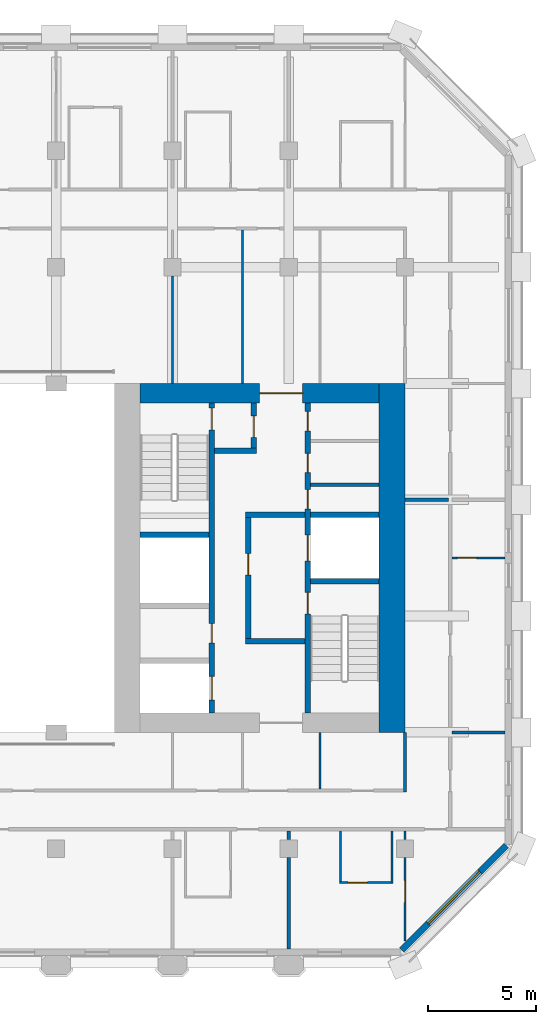
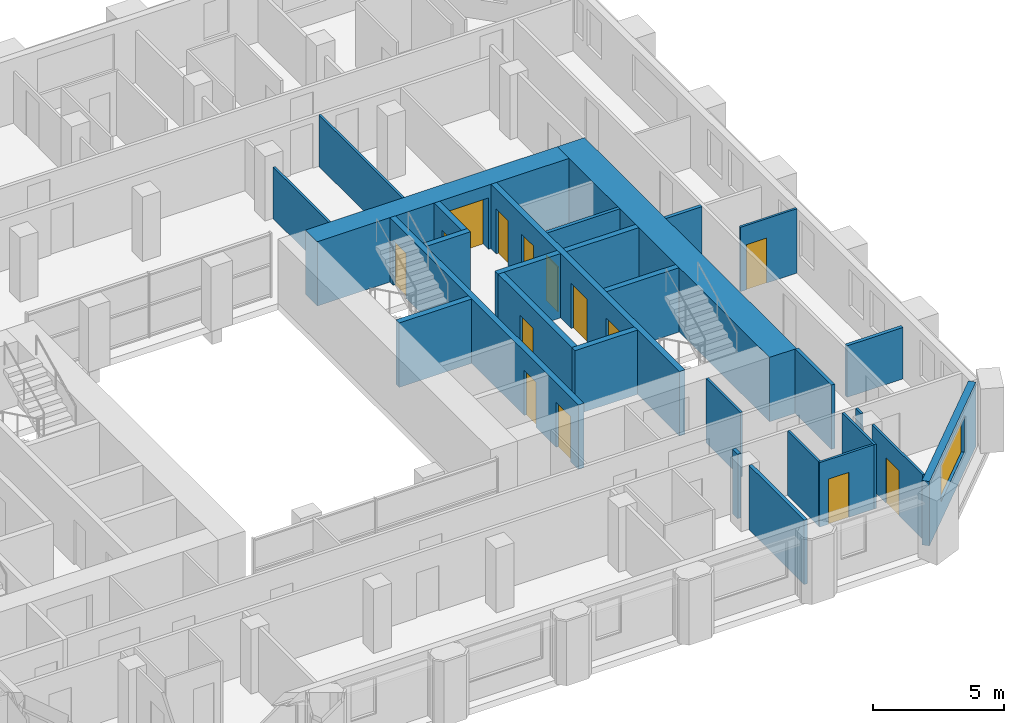
# One storey, part 6 of 12: 28 walls, 14 doors, 1 window, 15 openings.
"""IFC4 building model written with IfcOpenShell, lengths in metres."""

from ifc_helpers import new_model, si_unit, direction, frame, frame_2d, origin, place, context, subcontext, project, spatial, rectangle, extrude, material, layer, layer_set, type_object, element, fill, save


model = new_model("IFC4")

# Units and contexts
model_context = context("Model", 3, precision=1e-05, world=origin(), true_north=direction((0.0, 1.0)))
body_context = subcontext(model_context, "Body", "Model", "MODEL_VIEW")
ifc_project = project(units=[si_unit("LENGTHUNIT", "METRE"), si_unit("AREAUNIT", "SQUARE_METRE"), si_unit("VOLUMEUNIT", "CUBIC_METRE"), si_unit("PLANEANGLEUNIT", "RADIAN"), si_unit("MASSUNIT", "GRAM", prefix="KILO")], contexts=[model_context])

# Site, building, storey
site_placement = place(None, origin())
site = spatial("IfcSite", under=ifc_project, at=site_placement, CompositionType="ELEMENT")
building_placement = place(site_placement, origin())
building = spatial("IfcBuilding", under=site, at=building_placement, Name="Tabaq Tower and Sports Hall", CompositionType="ELEMENT")
storey_placement = place(building_placement, frame((0.0, 0.0, 193.89990234375)))
storey = spatial("IfcBuildingStorey", under=building, at=storey_placement, Name="L47", CompositionType="ELEMENT", Elevation=193.89990234375)

# Walls
ifc_material_1 = material(Name="Blockwork", Category="masonry")
ifc_layer_1 = layer(ifc_material_1, 0.14990234375)
ifc_layer_set_1 = layer_set([ifc_layer_1], Name="Core room partition 150 Blockwork")
wall_type_1 = type_object("IfcWallType", Name="Core room partition 150 Blockwork", PredefinedType="PARTITIONING", material=ifc_layer_set_1)
wall_1_placement = place(storey_placement, frame((38.800048828125, 27.694091796875, 0.0), z_axis=(0.0, 0.0, 1.0), x_axis=(1.0, 0.0, 0.0)))
element("IfcWall", 1, at=wall_1_placement, inside=storey, type_object=wall_type_1, Name="Core room partition E L47", PredefinedType="PARTITIONING", context=body_context, shape_type="SweptSolid", body=[
    extrude(rectangle(XDim=3.199951171875, YDim=0.14990234375, at=frame_2d((1.60009765625, 0.0))), origin(), (0.0, 0.0, 1.0), 3.0),
])
ifc_material_2 = material(Name="Concrete C50/60", Category="concrete")
ifc_layer_2 = layer(ifc_material_2, 1.199951171875)
ifc_layer_set_2 = layer_set([ifc_layer_2], Name="Core wall 1200 Concrete C50/60")
wall_type_2 = type_object("IfcWallType", Name="Core wall 1200 Concrete C50/60", PredefinedType="SOLIDWALL", material=ifc_layer_set_2)
wall_2_placement = place(storey_placement, frame((42.60009765625, 32.39990234375, 0.0), z_axis=(0.0, 0.0, 1.0), x_axis=(0.0, -1.0, 0.0)))
element("IfcWall", 2, at=wall_2_placement, inside=storey, type_object=wall_type_2, Name="Core wall E L47", PredefinedType="SOLIDWALL", context=body_context, shape_type="SweptSolid", body=[
    extrude(rectangle(XDim=16.199951171875, YDim=1.199951171875, at=frame_2d((8.10009765625, 0.0))), origin(), (0.0, 0.0, 1.0), 3.0),
])

# Wall, opening, door
ifc_material_3 = material(Name="Concrete C50/60", Category="concrete")
ifc_layer_3 = layer(ifc_material_3, 0.89990234375)
ifc_layer_set_3 = layer_set([ifc_layer_3], Name="Core wall 900 Concrete C50/60")
wall_type_3 = type_object("IfcWallType", Name="Core wall 900 Concrete C50/60", PredefinedType="SOLIDWALL", material=ifc_layer_set_3)
wall_3_placement = place(storey_placement, frame((30.89990234375, 31.949951171875, 0.0), z_axis=(0.0, 0.0, 1.0), x_axis=(1.0, 0.0, 0.0)))
wall_3 = element("IfcWall", 3, at=wall_3_placement, inside=storey, type_object=wall_type_3, Name="Core wall E L47", PredefinedType="SOLIDWALL", context=body_context, shape_type="SweptSolid", body=[
    extrude(rectangle(XDim=11.10009765625, YDim=0.89990234375, at=frame_2d((5.550048828125, 0.0))), origin(), (0.0, 0.0, 1.0), 3.0),
])
opening_1_placement = place(wall_3_placement, frame((5.550048828125, 0.0, 0.0)))
opening_1 = element("IfcOpeningElement", 4, at=opening_1_placement, cuts=wall_3, Name="Opening PD-EL47-02", PredefinedType="OPENING", context=body_context, shape_type="SweptSolid", body=[
    extrude(rectangle(XDim=2.0, YDim=2.39990234375, at=frame_2d((1.0, 1.199951171875))), frame((0.0, 0.449951171875, 0.0), z_axis=(0.0, -1.0, 0.0), x_axis=(1.0, 0.0, 0.0)), (0.0, 0.0, 1.0), 0.89990234375),
])
ifc_material_4 = material(Name="Steel fire door", Category="steel")
door_type_1 = type_object("IfcDoorType", Name="Core entrance door 2000", OperationType="DOUBLE_DOOR_SINGLE_SWING", PredefinedType="DOOR", material=ifc_material_4)
door_1_placement = place(opening_1_placement, origin())
door_1 = element("IfcDoor", 5, at=door_1_placement, inside=storey, type_object=door_type_1, Name="Core entrance north E L47", OperationType="DOUBLE_DOOR_SINGLE_SWING", OverallHeight=2.39990234375, OverallWidth=2.0, PredefinedType="DOOR", context=body_context, shape_type="SweptSolid", body=[
    extrude(rectangle(XDim=2.0, YDim=2.39990234375, at=frame_2d((1.0, 1.199951171875))), frame((0.0, 0.02490234375, 0.0), z_axis=(0.0, -1.0, 0.0), x_axis=(1.0, 0.0, 0.0)), (0.0, 0.0, 1.0), 0.050048828125),
])
fill(opening_1, door_1)

# Walls
ifc_material_5 = material(Name="Gypsum board on steel studs", Category="steel")
ifc_layer_4 = layer(ifc_material_5, 0.10009765625)
ifc_layer_set_4 = layer_set([ifc_layer_4], Name="Partition 100 Gypsum board")
wall_type_4 = type_object("IfcWallType", Name="Partition 100 Gypsum board", PredefinedType="PARTITIONING", material=ifc_layer_set_4)
wall_4_placement = place(storey_placement, frame((32.39990234375, 32.39990234375, 0.0), z_axis=(0.0, 0.0, 1.0), x_axis=(0.0, 1.0, 0.0)))
element("IfcWall", 6, at=wall_4_placement, inside=storey, type_object=wall_type_4, Name="Partition wall L47", PredefinedType="PARTITIONING", context=body_context, shape_type="SweptSolid", body=[
    extrude(rectangle(XDim=4.97998046875, YDim=0.10009765625, at=frame_2d((2.489990234375, 0.0))), origin(), (0.0, 0.0, 1.0), 2.400146484375),
])
wall_5_placement = place(storey_placement, frame((35.64990234375, 39.52490234375, 0.0), z_axis=(0.0, 0.0, 1.0), x_axis=(0.0, -1.0, 0.0)))
element("IfcWall", 7, at=wall_5_placement, inside=storey, type_object=wall_type_4, Name="Partition wall L47", PredefinedType="PARTITIONING", context=body_context, shape_type="SweptSolid", body=[
    extrude(rectangle(XDim=7.125, YDim=0.10009765625, at=frame_2d((3.5625, 0.0))), origin(), (0.0, 0.0, 1.0), 2.400146484375),
])

# Wall, opening, door
wall_6_placement = place(storey_placement, frame((43.199951171875, 6.51220703125, 0.0), z_axis=(0.0, 0.0, 1.0), x_axis=(0.0, 1.0, 0.0)))
wall_6 = element("IfcWall", 8, at=wall_6_placement, inside=storey, type_object=wall_type_4, Name="Partition wall L47", PredefinedType="PARTITIONING", context=body_context, shape_type="SweptSolid", body=[
    extrude(rectangle(XDim=3.86767578125, YDim=0.10009765625, at=frame_2d((1.933837890625, 0.0))), origin(), (0.0, 0.0, 1.0), 3.0),
])
opening_2_placement = place(wall_6_placement, frame((1.80029296875, 0.0, 0.0)))
opening_2 = element("IfcOpeningElement", 9, at=opening_2_placement, cuts=wall_6, Name="Opening L47-037", PredefinedType="OPENING", context=body_context, shape_type="SweptSolid", body=[
    extrude(rectangle(XDim=1.0, YDim=2.10009765625, at=frame_2d((0.5, 1.050048828125))), frame((0.0, 0.050048828125, 0.0), z_axis=(0.0, -1.0, 0.0), x_axis=(1.0, 0.0, 0.0)), (0.0, 0.0, 1.0), 0.10009765625),
])
ifc_material_6 = material(Name="Timber leaf in steel frame", Category="steel")
door_type_2 = type_object("IfcDoorType", Name="Internal door 1000 left hand", OperationType="SINGLE_SWING_LEFT", PredefinedType="DOOR", material=ifc_material_6)
door_2_placement = place(opening_2_placement, origin())
door_2 = element("IfcDoor", 10, at=door_2_placement, inside=storey, type_object=door_type_2, Name="Internal door L47-037", OperationType="SINGLE_SWING_LEFT", OverallHeight=2.10009765625, OverallWidth=1.0, PredefinedType="DOOR", context=body_context, shape_type="SweptSolid", body=[
    extrude(rectangle(XDim=1.0, YDim=2.10009765625, at=frame_2d((0.5, 1.050048828125))), frame((0.0, 0.02490234375, 0.0), z_axis=(0.0, -1.0, 0.0), x_axis=(1.0, 0.0, 0.0)), (0.0, 0.0, 1.0), 0.050048828125),
])
fill(opening_2, door_2)

# Walls
wall_7_placement = place(storey_placement, frame((43.199951171875, 11.219970703125, 0.0), z_axis=(0.0, 0.0, 1.0), x_axis=(0.0, 1.0, 0.0)))
element("IfcWall", 11, at=wall_7_placement, inside=storey, type_object=wall_type_4, Name="Partition wall L47", PredefinedType="PARTITIONING", context=body_context, shape_type="SweptSolid", body=[
    extrude(rectangle(XDim=0.405029296875, YDim=0.10009765625, at=frame_2d((0.20263671875, 0.0))), origin(), (0.0, 0.0, 1.0), 3.0),
])
wall_8_placement = place(storey_placement, frame((42.60009765625, 11.625, 0.0), z_axis=(0.0, 0.0, 1.0), x_axis=(0.0, -1.0, 0.0)))
element("IfcWall", 12, at=wall_8_placement, inside=storey, type_object=wall_type_4, Name="Partition wall L47", PredefinedType="PARTITIONING", context=body_context, shape_type="SweptSolid", body=[
    extrude(rectangle(XDim=2.449951171875, YDim=0.10009765625, at=frame_2d((1.22509765625, 0.0))), origin(), (0.0, 0.0, 1.0), 3.0),
])

# Wall, opening, door
wall_9_placement = place(storey_placement, frame((42.550048828125, 9.22509765625, 0.0), z_axis=(0.0, 0.0, 1.0), x_axis=(-1.0, 0.0, 0.0)))
wall_9 = element("IfcWall", 13, at=wall_9_placement, inside=storey, type_object=wall_type_4, Name="Partition wall L47", PredefinedType="PARTITIONING", context=body_context, shape_type="SweptSolid", body=[
    extrude(rectangle(XDim=2.400146484375, YDim=0.10009765625, at=frame_2d((1.2001953125, 0.0))), origin(), (0.0, 0.0, 1.0), 3.0),
])
opening_3_placement = place(wall_9_placement, frame((1.10009765625, 0.0, 0.0)))
opening_3 = element("IfcOpeningElement", 14, at=opening_3_placement, cuts=wall_9, Name="Opening L47-017", PredefinedType="OPENING", context=body_context, shape_type="SweptSolid", body=[
    extrude(rectangle(XDim=0.89990234375, YDim=2.10009765625, at=frame_2d((0.449951171875, 1.050048828125))), frame((0.0, 0.050048828125, 0.0), z_axis=(0.0, -1.0, 0.0), x_axis=(1.0, 0.0, 0.0)), (0.0, 0.0, 1.0), 0.10009765625),
])
ifc_material_7 = material(Name="Timber leaf in steel frame", Category="steel")
door_type_3 = type_object("IfcDoorType", Name="Internal door 900 left hand", OperationType="SINGLE_SWING_LEFT", PredefinedType="DOOR", material=ifc_material_7)
door_3_placement = place(opening_3_placement, origin())
door_3 = element("IfcDoor", 15, at=door_3_placement, inside=storey, type_object=door_type_3, Name="Internal door L47-017", OperationType="SINGLE_SWING_LEFT", OverallHeight=2.10009765625, OverallWidth=0.89990234375, PredefinedType="DOOR", context=body_context, shape_type="SweptSolid", body=[
    extrude(rectangle(XDim=0.89990234375, YDim=2.10009765625, at=frame_2d((0.449951171875, 1.050048828125))), frame((0.0, 0.02490234375, 0.0), z_axis=(0.0, -1.0, 0.0), x_axis=(1.0, 0.0, 0.0)), (0.0, 0.0, 1.0), 0.050048828125),
])
fill(opening_3, door_3)

# Wall
wall_10_placement = place(storey_placement, frame((40.199951171875, 9.27490234375, 0.0), z_axis=(0.0, 0.0, 1.0), x_axis=(0.0, 1.0, 0.0)))
element("IfcWall", 16, at=wall_10_placement, inside=storey, type_object=wall_type_4, Name="Partition wall L47", PredefinedType="PARTITIONING", context=body_context, shape_type="SweptSolid", body=[
    extrude(rectangle(XDim=2.35009765625, YDim=0.10009765625, at=frame_2d((1.175048828125, 0.0))), origin(), (0.0, 0.0, 1.0), 3.0),
])

# Wall, opening, door
wall_11_placement = place(storey_placement, frame((47.84912109375, 24.300048828125, 0.0), z_axis=(0.0, 0.0, 1.0), x_axis=(-1.0, 0.0, 0.0)))
wall_11 = element("IfcWall", 17, at=wall_11_placement, inside=storey, type_object=wall_type_4, Name="Partition wall L47", PredefinedType="PARTITIONING", context=body_context, shape_type="SweptSolid", body=[
    extrude(rectangle(XDim=2.47412109375, YDim=0.10009765625, at=frame_2d((1.237060546875, 0.0))), origin(), (0.0, 0.0, 1.0), 3.0),
])
opening_4_placement = place(wall_11_placement, frame((1.323974609375, 0.0, 0.0)))
opening_4 = element("IfcOpeningElement", 18, at=opening_4_placement, cuts=wall_11, Name="Opening L47-020", PredefinedType="OPENING", context=body_context, shape_type="SweptSolid", body=[
    extrude(rectangle(XDim=0.89990234375, YDim=2.10009765625, at=frame_2d((0.449951171875, 1.050048828125))), frame((0.0, 0.050048828125, 0.0), z_axis=(0.0, -1.0, 0.0), x_axis=(1.0, 0.0, 0.0)), (0.0, 0.0, 1.0), 0.10009765625),
])
ifc_material_8 = material(Name="Timber leaf in steel frame", Category="steel")
door_type_4 = type_object("IfcDoorType", Name="Internal door 900 right hand", OperationType="SINGLE_SWING_RIGHT", PredefinedType="DOOR", material=ifc_material_8)
door_4_placement = place(opening_4_placement, origin())
door_4 = element("IfcDoor", 19, at=door_4_placement, inside=storey, type_object=door_type_4, Name="Internal door L47-020", OperationType="SINGLE_SWING_RIGHT", OverallHeight=2.10009765625, OverallWidth=0.89990234375, PredefinedType="DOOR", context=body_context, shape_type="SweptSolid", body=[
    extrude(rectangle(XDim=0.89990234375, YDim=2.10009765625, at=frame_2d((0.449951171875, 1.050048828125))), frame((0.0, 0.02490234375, 0.0), z_axis=(0.0, -1.0, 0.0), x_axis=(1.0, 0.0, 0.0)), (0.0, 0.0, 1.0), 0.050048828125),
])
fill(opening_4, door_4)

# Walls
wall_12_placement = place(storey_placement, frame((39.25, 13.574951171875, 0.0), z_axis=(0.0, 0.0, 1.0), x_axis=(0.0, 1.0, 0.0)))
element("IfcWall", 20, at=wall_12_placement, inside=storey, type_object=wall_type_4, Name="Partition wall L47", PredefinedType="PARTITIONING", context=body_context, shape_type="SweptSolid", body=[
    extrude(rectangle(XDim=2.625, YDim=0.10009765625, at=frame_2d((1.3125, 0.0))), origin(), (0.0, 0.0, 1.0), 3.0),
])
ifc_material_9 = material(Name="Blockwork", Category="masonry")
ifc_layer_5 = layer(ifc_material_9, 0.14990234375)
ifc_layer_set_5 = layer_set([ifc_layer_5], Name="Separating wall 150 Blockwork")
wall_type_5 = type_object("IfcWallType", Name="Separating wall 150 Blockwork", PredefinedType="PARTITIONING", material=ifc_layer_set_5)
wall_13_placement = place(storey_placement, frame((43.199951171875, 27.0, 0.0), z_axis=(0.0, 0.0, 1.0), x_axis=(1.0, 0.0, 0.0)))
element("IfcWall", 21, at=wall_13_placement, inside=storey, type_object=wall_type_5, Name="Separating wall L47", PredefinedType="PARTITIONING", context=body_context, shape_type="SweptSolid", body=[
    extrude(rectangle(XDim=2.025146484375, YDim=0.14990234375, at=frame_2d((1.0126953125, 0.0))), origin(), (0.0, 0.0, 1.0), 2.400146484375),
])
wall_14_placement = place(storey_placement, frame((47.84912109375, 16.199951171875, 0.0), z_axis=(0.0, 0.0, 1.0), x_axis=(-1.0, 0.0, 0.0)))
element("IfcWall", 22, at=wall_14_placement, inside=storey, type_object=wall_type_5, Name="Separating wall L47", PredefinedType="PARTITIONING", context=body_context, shape_type="SweptSolid", body=[
    extrude(rectangle(XDim=2.47412109375, YDim=0.14990234375, at=frame_2d((1.237060546875, 0.0))), origin(), (0.0, 0.0, 1.0), 2.400146484375),
])
wall_15_placement = place(storey_placement, frame((37.800048828125, 6.15087890625, 0.0), z_axis=(0.0, 0.0, 1.0), x_axis=(0.0, 1.0, 0.0)))
element("IfcWall", 23, at=wall_15_placement, inside=storey, type_object=wall_type_5, Name="Separating wall L47", PredefinedType="PARTITIONING", context=body_context, shape_type="SweptSolid", body=[
    extrude(rectangle(XDim=4.22900390625, YDim=0.14990234375, at=frame_2d((2.114501953125, 0.0))), origin(), (0.0, 0.0, 1.0), 3.0),
])
wall_16_placement = place(storey_placement, frame((37.800048828125, 11.219970703125, 0.0), z_axis=(0.0, 0.0, 1.0), x_axis=(0.0, 1.0, 0.0)))
element("IfcWall", 24, at=wall_16_placement, inside=storey, type_object=wall_type_5, Name="Separating wall L47", PredefinedType="PARTITIONING", context=body_context, shape_type="SweptSolid", body=[
    extrude(rectangle(XDim=0.405029296875, YDim=0.14990234375, at=frame_2d((0.20263671875, 0.0))), origin(), (0.0, 0.0, 1.0), 3.0),
])
wall_17_placement = place(storey_placement, frame((43.199951171875, 16.199951171875, 0.0), z_axis=(0.0, 0.0, 1.0), x_axis=(0.0, -1.0, 0.0)))
element("IfcWall", 25, at=wall_17_placement, inside=storey, type_object=wall_type_5, Name="Separating wall L47", PredefinedType="PARTITIONING", context=body_context, shape_type="SweptSolid", body=[
    extrude(rectangle(XDim=2.77490234375, YDim=0.14990234375, at=frame_2d((1.387451171875, 0.0))), origin(), (0.0, 0.0, 1.0), 3.0),
])

# Wall, openings, doors
ifc_material_10 = material(Name="Concrete C40/50", Category="concrete")
ifc_layer_6 = layer(ifc_material_10, 0.25)
ifc_layer_set_6 = layer_set([ifc_layer_6], Name="Shaft and stair wall 250 Concrete C40/50")
wall_type_6 = type_object("IfcWallType", Name="Shaft and stair wall 250 Concrete C40/50", PredefinedType="SOLIDWALL", material=ifc_layer_set_6)
wall_18_placement = place(storey_placement, frame((38.675048828125, 17.10009765625, 0.0), z_axis=(0.0, 0.0, 1.0), x_axis=(0.0, 1.0, 0.0)))
wall_18 = element("IfcWall", 26, at=wall_18_placement, inside=storey, type_object=wall_type_6, Name="Shaft wall E L47", PredefinedType="SOLIDWALL", context=body_context, shape_type="SweptSolid", body=[
    extrude(rectangle(XDim=14.39990234375, YDim=0.25, at=frame_2d((7.199951171875, 0.0))), origin(), (0.0, 0.0, 1.0), 3.0),
])
opening_5_placement = place(wall_18_placement, frame((4.60009765625, 0.0, 0.0)))
opening_5 = element("IfcOpeningElement", 27, at=opening_5_placement, cuts=wall_18, Name="Opening SD-EL47-03", PredefinedType="OPENING", context=body_context, shape_type="SweptSolid", body=[
    extrude(rectangle(XDim=1.0, YDim=2.10009765625, at=frame_2d((0.5, 1.050048828125))), frame((0.0, 0.125, 0.0), z_axis=(0.0, -1.0, 0.0), x_axis=(1.0, 0.0, 0.0)), (0.0, 0.0, 1.0), 0.25),
])
opening_6_placement = place(wall_18_placement, frame((7.0625, 0.0, 0.0)))
opening_6 = element("IfcOpeningElement", 28, at=opening_6_placement, cuts=wall_18, Name="Opening LD-FF2-L47", PredefinedType="OPENING", context=body_context, shape_type="SweptSolid", body=[
    extrude(rectangle(XDim=1.199951171875, YDim=2.10009765625, at=frame_2d((0.60009765625, 1.050048828125))), frame((0.0, 0.125, 0.0), z_axis=(0.0, -1.0, 0.0), x_axis=(1.0, 0.0, 0.0)), (0.0, 0.0, 1.0), 0.25),
])
opening_7_placement = place(wall_18_placement, frame((9.471923828125, 0.0, 0.0)))
opening_7 = element("IfcOpeningElement", 29, at=opening_7_placement, cuts=wall_18, Name="Opening RD-EL47-09", PredefinedType="OPENING", context=body_context, shape_type="SweptSolid", body=[
    extrude(rectangle(XDim=0.89990234375, YDim=2.10009765625, at=frame_2d((0.449951171875, 1.050048828125))), frame((0.0, 0.125, 0.0), z_axis=(0.0, -1.0, 0.0), x_axis=(1.0, 0.0, 0.0)), (0.0, 0.0, 1.0), 0.25),
])
opening_8_placement = place(wall_18_placement, frame((11.158935546875, 0.0, 0.0)))
opening_8 = element("IfcOpeningElement", 30, at=opening_8_placement, cuts=wall_18, Name="Opening RD-EL47-10", PredefinedType="OPENING", context=body_context, shape_type="SweptSolid", body=[
    extrude(rectangle(XDim=0.89990234375, YDim=2.10009765625, at=frame_2d((0.449951171875, 1.050048828125))), frame((0.0, 0.125, 0.0), z_axis=(0.0, -1.0, 0.0), x_axis=(1.0, 0.0, 0.0)), (0.0, 0.0, 1.0), 0.25),
])
opening_9_placement = place(wall_18_placement, frame((13.099609375, 0.0, 0.0)))
opening_9 = element("IfcOpeningElement", 31, at=opening_9_placement, cuts=wall_18, Name="Opening RD-EL47-11", PredefinedType="OPENING", context=body_context, shape_type="SweptSolid", body=[
    extrude(rectangle(XDim=0.89990234375, YDim=2.10009765625, at=frame_2d((0.449951171875, 1.050048828125))), frame((0.0, 0.125, 0.0), z_axis=(0.0, -1.0, 0.0), x_axis=(1.0, 0.0, 0.0)), (0.0, 0.0, 1.0), 0.25),
])
ifc_material_11 = material(Name="Steel fire door", Category="steel")
door_type_5 = type_object("IfcDoorType", Name="Core room door 900", OperationType="SINGLE_SWING_LEFT", PredefinedType="DOOR", material=ifc_material_11)
door_5_placement = place(opening_7_placement, origin())
door_5 = element("IfcDoor", 32, at=door_5_placement, inside=storey, type_object=door_type_5, Name="Door Electrical Riser Room E L47", OperationType="SINGLE_SWING_LEFT", OverallHeight=2.10009765625, OverallWidth=0.89990234375, PredefinedType="DOOR", context=body_context, shape_type="SweptSolid", body=[
    extrude(rectangle(XDim=0.89990234375, YDim=2.10009765625, at=frame_2d((0.449951171875, 1.050048828125))), frame((0.0, 0.02490234375, 0.0), z_axis=(0.0, -1.0, 0.0), x_axis=(1.0, 0.0, 0.0)), (0.0, 0.0, 1.0), 0.050048828125),
])
fill(opening_7, door_5)
door_6_placement = place(opening_8_placement, origin())
door_6 = element("IfcDoor", 33, at=door_6_placement, inside=storey, type_object=door_type_5, Name="Door Unisex WC E L47", OperationType="SINGLE_SWING_LEFT", OverallHeight=2.10009765625, OverallWidth=0.89990234375, PredefinedType="DOOR", context=body_context, shape_type="SweptSolid", body=[
    extrude(rectangle(XDim=0.89990234375, YDim=2.10009765625, at=frame_2d((0.449951171875, 1.050048828125))), frame((0.0, 0.02490234375, 0.0), z_axis=(0.0, -1.0, 0.0), x_axis=(1.0, 0.0, 0.0)), (0.0, 0.0, 1.0), 0.050048828125),
])
fill(opening_8, door_6)
door_7_placement = place(opening_9_placement, origin())
door_7 = element("IfcDoor", 34, at=door_7_placement, inside=storey, type_object=door_type_5, Name="Door Accessible WC E L47", OperationType="SINGLE_SWING_LEFT", OverallHeight=2.10009765625, OverallWidth=0.89990234375, PredefinedType="DOOR", context=body_context, shape_type="SweptSolid", body=[
    extrude(rectangle(XDim=0.89990234375, YDim=2.10009765625, at=frame_2d((0.449951171875, 1.050048828125))), frame((0.0, 0.02490234375, 0.0), z_axis=(0.0, -1.0, 0.0), x_axis=(1.0, 0.0, 0.0)), (0.0, 0.0, 1.0), 0.050048828125),
])
fill(opening_9, door_7)
ifc_material_12 = material(Name="Stainless steel", Category="steel")
door_type_6 = type_object("IfcDoorType", Name="Lift landing door 1200", OperationType="DOUBLE_DOOR_SLIDING", PredefinedType="DOOR", material=ifc_material_12)
door_8_placement = place(opening_6_placement, origin())
door_8 = element("IfcDoor", 35, at=door_8_placement, inside=storey, type_object=door_type_6, Name="Lift landing door FF2 E L47", OperationType="DOUBLE_DOOR_SLIDING", OverallHeight=2.10009765625, OverallWidth=1.199951171875, PredefinedType="DOOR", context=body_context, shape_type="SweptSolid", body=[
    extrude(rectangle(XDim=1.199951171875, YDim=2.10009765625, at=frame_2d((0.60009765625, 1.050048828125))), frame((0.0, 0.02490234375, 0.0), z_axis=(0.0, -1.0, 0.0), x_axis=(1.0, 0.0, 0.0)), (0.0, 0.0, 1.0), 0.050048828125),
])
fill(opening_6, door_8)
ifc_material_13 = material(Name="Steel fire door", Category="steel")
door_type_7 = type_object("IfcDoorType", Name="Stair door 1000", OperationType="SINGLE_SWING_LEFT", PredefinedType="DOOR", material=ifc_material_13)
door_9_placement = place(opening_5_placement, origin())
door_9 = element("IfcDoor", 36, at=door_9_placement, inside=storey, type_object=door_type_7, Name="Stair door ST3 E L47", OperationType="SINGLE_SWING_LEFT", OverallHeight=2.10009765625, OverallWidth=1.0, PredefinedType="DOOR", context=body_context, shape_type="SweptSolid", body=[
    extrude(rectangle(XDim=1.0, YDim=2.10009765625, at=frame_2d((0.5, 1.050048828125))), frame((0.0, 0.02490234375, 0.0), z_axis=(0.0, -1.0, 0.0), x_axis=(1.0, 0.0, 0.0)), (0.0, 0.0, 1.0), 0.050048828125),
])
fill(opening_5, door_9)

wall_19_placement = place(storey_placement, frame((34.22509765625, 17.10009765625, 0.0), z_axis=(0.0, 0.0, 1.0), x_axis=(0.0, 1.0, 0.0)))
wall_19 = element("IfcWall", 37, at=wall_19_placement, inside=storey, type_object=wall_type_6, Name="Shaft wall E L47", PredefinedType="SOLIDWALL", context=body_context, shape_type="SweptSolid", body=[
    extrude(rectangle(XDim=14.39990234375, YDim=0.25, at=frame_2d((7.199951171875, 0.0))), origin(), (0.0, 0.0, 1.0), 3.0),
])
opening_10_placement = place(wall_19_placement, frame((13.14990234375, 0.0, 0.0)))
opening_10 = element("IfcOpeningElement", 38, at=opening_10_placement, cuts=wall_19, Name="Opening SD-EL47-05", PredefinedType="OPENING", context=body_context, shape_type="SweptSolid", body=[
    extrude(rectangle(XDim=1.0, YDim=2.10009765625, at=frame_2d((0.5, 1.050048828125))), frame((0.0, 0.125, 0.0), z_axis=(0.0, -1.0, 0.0), x_axis=(1.0, 0.0, 0.0)), (0.0, 0.0, 1.0), 0.25),
])
opening_11_placement = place(wall_19_placement, frame((0.60009765625, 0.0, 0.0)))
opening_11 = element("IfcOpeningElement", 39, at=opening_11_placement, cuts=wall_19, Name="Opening LD-MR2-L47", PredefinedType="OPENING", context=body_context, shape_type="SweptSolid", body=[
    extrude(rectangle(XDim=1.10009765625, YDim=2.10009765625, at=frame_2d((0.550048828125, 1.050048828125))), frame((0.0, 0.125, 0.0), z_axis=(0.0, -1.0, 0.0), x_axis=(1.0, 0.0, 0.0)), (0.0, 0.0, 1.0), 0.25),
])
opening_12_placement = place(wall_19_placement, frame((3.25, 0.0, 0.0)))
opening_12 = element("IfcOpeningElement", 40, at=opening_12_placement, cuts=wall_19, Name="Opening RD-EL47-12", PredefinedType="OPENING", context=body_context, shape_type="SweptSolid", body=[
    extrude(rectangle(XDim=0.89990234375, YDim=2.10009765625, at=frame_2d((0.449951171875, 1.050048828125))), frame((0.0, 0.125, 0.0), z_axis=(0.0, -1.0, 0.0), x_axis=(1.0, 0.0, 0.0)), (0.0, 0.0, 1.0), 0.25),
])
door_10_placement = place(opening_12_placement, origin())
door_10 = element("IfcDoor", 41, at=door_10_placement, inside=storey, type_object=door_type_5, Name="Door Cleaner's Store E L47", OperationType="SINGLE_SWING_LEFT", OverallHeight=2.10009765625, OverallWidth=0.89990234375, PredefinedType="DOOR", context=body_context, shape_type="SweptSolid", body=[
    extrude(rectangle(XDim=0.89990234375, YDim=2.10009765625, at=frame_2d((0.449951171875, 1.050048828125))), frame((0.0, 0.02490234375, 0.0), z_axis=(0.0, -1.0, 0.0), x_axis=(1.0, 0.0, 0.0)), (0.0, 0.0, 1.0), 0.050048828125),
])
fill(opening_12, door_10)
ifc_material_14 = material(Name="Stainless steel", Category="steel")
door_type_8 = type_object("IfcDoorType", Name="Lift landing door 1100", OperationType="DOUBLE_DOOR_SLIDING", PredefinedType="DOOR", material=ifc_material_14)
door_11_placement = place(opening_11_placement, origin())
door_11 = element("IfcDoor", 42, at=door_11_placement, inside=storey, type_object=door_type_8, Name="Lift landing door MR2 E L47", OperationType="DOUBLE_DOOR_SLIDING", OverallHeight=2.10009765625, OverallWidth=1.10009765625, PredefinedType="DOOR", context=body_context, shape_type="SweptSolid", body=[
    extrude(rectangle(XDim=1.10009765625, YDim=2.10009765625, at=frame_2d((0.550048828125, 1.050048828125))), frame((0.0, 0.02490234375, 0.0), z_axis=(0.0, -1.0, 0.0), x_axis=(1.0, 0.0, 0.0)), (0.0, 0.0, 1.0), 0.050048828125),
])
fill(opening_11, door_11)
door_12_placement = place(opening_10_placement, origin())
door_12 = element("IfcDoor", 43, at=door_12_placement, inside=storey, type_object=door_type_7, Name="Stair door ST4 E L47", OperationType="SINGLE_SWING_LEFT", OverallHeight=2.10009765625, OverallWidth=1.0, PredefinedType="DOOR", context=body_context, shape_type="SweptSolid", body=[
    extrude(rectangle(XDim=1.0, YDim=2.10009765625, at=frame_2d((0.5, 1.050048828125))), frame((0.0, 0.02490234375, 0.0), z_axis=(0.0, -1.0, 0.0), x_axis=(1.0, 0.0, 0.0)), (0.0, 0.0, 1.0), 0.050048828125),
])
fill(opening_10, door_12)

# Walls
wall_20_placement = place(storey_placement, frame((38.800048828125, 23.22509765625, 0.0), z_axis=(0.0, 0.0, 1.0), x_axis=(1.0, 0.0, 0.0)))
element("IfcWall", 44, at=wall_20_placement, inside=storey, type_object=wall_type_6, Name="Stair enclosure wall E L47", PredefinedType="SOLIDWALL", context=body_context, shape_type="SweptSolid", body=[
    extrude(rectangle(XDim=3.199951171875, YDim=0.25, at=frame_2d((1.60009765625, 0.0))), origin(), (0.0, 0.0, 1.0), 3.0),
])
wall_21_placement = place(storey_placement, frame((30.89990234375, 25.375, 0.0), z_axis=(0.0, 0.0, 1.0), x_axis=(1.0, 0.0, 0.0)))
element("IfcWall", 45, at=wall_21_placement, inside=storey, type_object=wall_type_6, Name="Stair enclosure wall E L47", PredefinedType="SOLIDWALL", context=body_context, shape_type="SweptSolid", body=[
    extrude(rectangle(XDim=3.2001953125, YDim=0.25, at=frame_2d((1.60009765625, 0.0))), origin(), (0.0, 0.0, 1.0), 3.0),
])
wall_22_placement = place(storey_placement, frame((38.800048828125, 26.300048828125, 0.0), z_axis=(0.0, 0.0, 1.0), x_axis=(1.0, 0.0, 0.0)))
element("IfcWall", 46, at=wall_22_placement, inside=storey, type_object=wall_type_6, Name="Shaft wall E L47", PredefinedType="SOLIDWALL", context=body_context, shape_type="SweptSolid", body=[
    extrude(rectangle(XDim=3.199951171875, YDim=0.25, at=frame_2d((1.60009765625, 0.0))), origin(), (0.0, 0.0, 1.0), 3.0),
])
for number, where, z_axis, x_axis, name in (
    (47, (35.800048828125, 26.300048828125, 0.0), (0.0, 0.0, 1.0), (1.0, 0.0, 0.0), "Fire-fighting lobby wall E L47"),
    (48, (35.800048828125, 20.425048828125, 0.0), (0.0, 0.0, 1.0), (1.0, 0.0, 0.0), "Fire-fighting lobby wall E L47"),
):
    element("IfcWall", number, at=place(storey_placement, frame(where, z_axis=z_axis, x_axis=x_axis)), inside=storey, type_object=wall_type_6, Name=name, PredefinedType="SOLIDWALL", context=body_context, shape_type="SweptSolid", body=[
        extrude(rectangle(XDim=2.75, YDim=0.25, at=frame_2d((1.375, 0.0))), origin(), (0.0, 0.0, 1.0), 3.0),
    ])

# Wall, opening, door
wall_23_placement = place(storey_placement, frame((36.175048828125, 29.39990234375, 0.0), z_axis=(0.0, 0.0, 1.0), x_axis=(0.0, 1.0, 0.0)))
wall_23 = element("IfcWall", 49, at=wall_23_placement, inside=storey, type_object=wall_type_6, Name="Fire-fighting lobby wall E L47", PredefinedType="SOLIDWALL", context=body_context, shape_type="SweptSolid", body=[
    extrude(rectangle(XDim=2.10009765625, YDim=0.25, at=frame_2d((1.050048828125, 0.0))), origin(), (0.0, 0.0, 1.0), 3.0),
])
opening_13_placement = place(wall_23_placement, frame((0.5, 0.0, 0.0)))
opening_13 = element("IfcOpeningElement", 50, at=opening_13_placement, cuts=wall_23, Name="Opening FD-EL47-06", PredefinedType="OPENING", context=body_context, shape_type="SweptSolid", body=[
    extrude(rectangle(XDim=1.0, YDim=2.10009765625, at=frame_2d((0.5, 1.050048828125))), frame((0.0, 0.125, 0.0), z_axis=(0.0, -1.0, 0.0), x_axis=(1.0, 0.0, 0.0)), (0.0, 0.0, 1.0), 0.25),
])
ifc_material_15 = material(Name="Steel fire door", Category="steel")
door_type_9 = type_object("IfcDoorType", Name="Fire-fighting lobby door 1000", OperationType="SINGLE_SWING_LEFT", PredefinedType="DOOR", material=ifc_material_15)
door_13_placement = place(opening_13_placement, origin())
door_13 = element("IfcDoor", 51, at=door_13_placement, inside=storey, type_object=door_type_9, Name="Stair lobby door E L47", OperationType="SINGLE_SWING_LEFT", OverallHeight=2.10009765625, OverallWidth=1.0, PredefinedType="DOOR", context=body_context, shape_type="SweptSolid", body=[
    extrude(rectangle(XDim=1.0, YDim=2.10009765625, at=frame_2d((0.5, 1.050048828125))), frame((0.0, 0.02490234375, 0.0), z_axis=(0.0, -1.0, 0.0), x_axis=(1.0, 0.0, 0.0)), (0.0, 0.0, 1.0), 0.050048828125),
])
fill(opening_13, door_13)

# Wall
wall_24_placement = place(storey_placement, frame((34.35009765625, 29.27490234375, 0.0), z_axis=(0.0, 0.0, 1.0), x_axis=(1.0, 0.0, 0.0)))
element("IfcWall", 52, at=wall_24_placement, inside=storey, type_object=wall_type_6, Name="Fire-fighting lobby wall E L47", PredefinedType="SOLIDWALL", context=body_context, shape_type="SweptSolid", body=[
    extrude(rectangle(XDim=1.949951171875, YDim=0.25, at=frame_2d((0.97509765625, 0.0))), origin(), (0.0, 0.0, 1.0), 3.0),
])

# Wall, opening, door
wall_25_placement = place(storey_placement, frame((35.925048828125, 20.550048828125, 0.0), z_axis=(0.0, 0.0, 1.0), x_axis=(0.0, 1.0, 0.0)))
wall_25 = element("IfcWall", 53, at=wall_25_placement, inside=storey, type_object=wall_type_6, Name="Fire-fighting lobby wall E L47", PredefinedType="SOLIDWALL", context=body_context, shape_type="SweptSolid", body=[
    extrude(rectangle(XDim=5.625, YDim=0.25, at=frame_2d((2.8125, 0.0))), origin(), (0.0, 0.0, 1.0), 3.0),
])
opening_14_placement = place(wall_25_placement, frame((2.949951171875, 0.0, 0.0)))
opening_14 = element("IfcOpeningElement", 54, at=opening_14_placement, cuts=wall_25, Name="Opening FD-EL47-04", PredefinedType="OPENING", context=body_context, shape_type="SweptSolid", body=[
    extrude(rectangle(XDim=1.0, YDim=2.10009765625, at=frame_2d((0.5, 1.050048828125))), frame((0.0, 0.125, 0.0), z_axis=(0.0, -1.0, 0.0), x_axis=(1.0, 0.0, 0.0)), (0.0, 0.0, 1.0), 0.25),
])
door_14_placement = place(opening_14_placement, origin())
door_14 = element("IfcDoor", 55, at=door_14_placement, inside=storey, type_object=door_type_9, Name="Fire-fighting lobby door E L47", OperationType="SINGLE_SWING_LEFT", OverallHeight=2.10009765625, OverallWidth=1.0, PredefinedType="DOOR", context=body_context, shape_type="SweptSolid", body=[
    extrude(rectangle(XDim=1.0, YDim=2.10009765625, at=frame_2d((0.5, 1.050048828125))), frame((0.0, 0.02490234375, 0.0), z_axis=(0.0, -1.0, 0.0), x_axis=(1.0, 0.0, 0.0)), (0.0, 0.0, 1.0), 0.050048828125),
])
fill(opening_14, door_14)

# Wall, opening, window
ifc_material_16 = material(Name="White precast concrete C60/75", Category="concrete")
ifc_layer_7 = layer(ifc_material_16, 0.300048828125)
ifc_layer_set_7 = layer_set([ifc_layer_7], Name="White precast concrete C60/75 external wall 300")
wall_type_7 = type_object("IfcWallType", Name="White precast concrete C60/75 external wall 300", PredefinedType="SOLIDWALL", material=ifc_layer_set_7)
wall_26_placement = place(storey_placement, frame((43.050537109375, 6.098876953125, 0.0), z_axis=(0.0, 0.0, 1.0), x_axis=(0.707106781187, 0.707106781187, 0.0)))
wall_26 = element("IfcWall", 56, at=wall_26_placement, inside=storey, type_object=wall_type_7, Name="External Wall L47 SE", PredefinedType="SOLIDWALL", context=body_context, shape_type="SweptSolid", body=[
    extrude(rectangle(XDim=6.85986328125, YDim=0.300048828125, at=frame_2d((3.429931640625, 0.0))), origin(), (0.0, 0.0, 1.0), 3.0),
])
opening_15_placement = place(wall_26_placement, frame((1.729736328125, 0.0, 0.89990234375)))
opening_15 = element("IfcOpeningElement", 57, at=opening_15_placement, cuts=wall_26, Name="Opening W1A", PredefinedType="OPENING", context=body_context, shape_type="SweptSolid", body=[
    extrude(rectangle(XDim=3.39990234375, YDim=1.699951171875, at=frame_2d((1.699951171875, 0.85009765625))), frame((0.0, 0.16015625, 0.0), z_axis=(0.0, -1.0, 0.0), x_axis=(1.0, 0.0, 0.0)), (0.0, 0.0, 1.0), 0.320068359375),
])
ifc_material_17 = material(Name="Aluminium framed clear glazing", Category="aluminium")
window_type = type_object("IfcWindowType", Name="Window W1A", PartitioningType="SINGLE_PANEL", PredefinedType="WINDOW", material=ifc_material_17)
window_placement = place(opening_15_placement, origin())
window = element("IfcWindow", 58, at=window_placement, inside=storey, type_object=window_type, Name="Window W1A L47", OverallHeight=1.699951171875, OverallWidth=3.39990234375, PartitioningType="SINGLE_PANEL", PredefinedType="WINDOW", context=body_context, shape_type="SweptSolid", body=[
    extrude(rectangle(XDim=3.39990234375, YDim=1.699951171875, at=frame_2d((1.699951171875, 0.85009765625))), frame((0.0, 0.030029296875, 0.0), z_axis=(0.0, -1.0, 0.0), x_axis=(1.0, 0.0, 0.0)), (0.0, 0.0, 1.0), 0.06005859375),
])
fill(opening_15, window)

save(model, "model.ifc")
